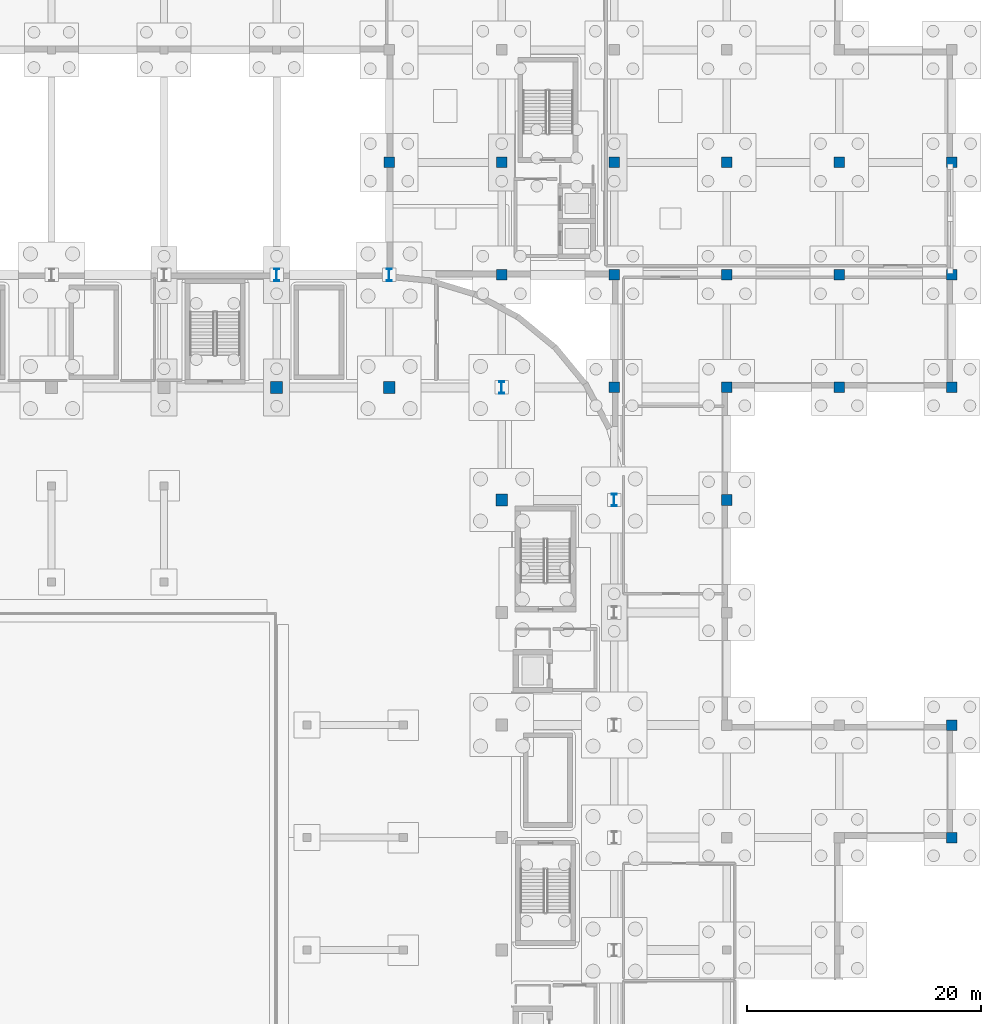
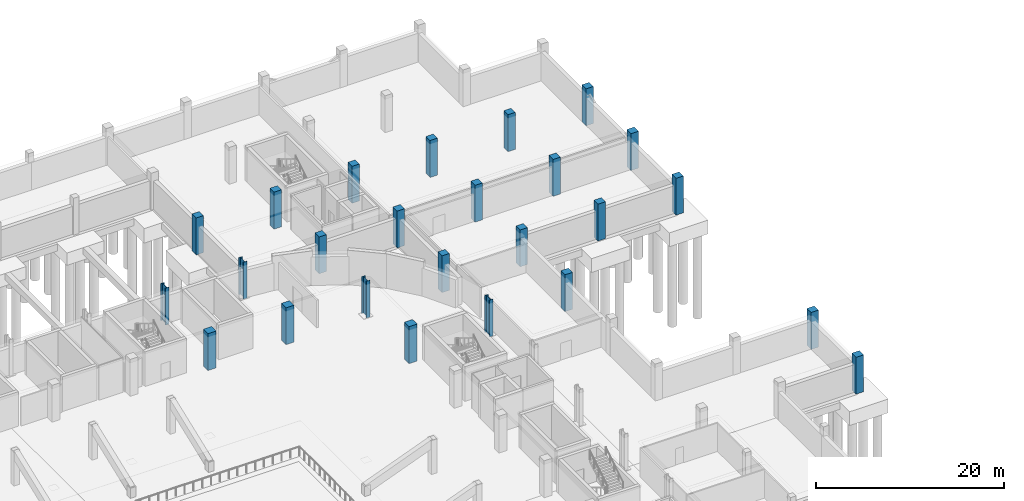
# One storey, part 21 of 67: 25 columns.
"""IFC4 building model written with IfcOpenShell, lengths in metres."""

from ifc_helpers import new_model, si_unit, direction, frame, origin, origin_2d, place, context, subcontext, project, spatial, rectangle, i_section, extrude, material, material_profile, profile_set, type_object, element, save


model = new_model("IFC4")

# Units and contexts
model_context = context("Model", 3, precision=1e-05, world=origin(), true_north=direction((0.0, 1.0)))
body_context = subcontext(model_context, "Body", "Model", "MODEL_VIEW")
ifc_project = project(units=[si_unit("LENGTHUNIT", "METRE"), si_unit("AREAUNIT", "SQUARE_METRE"), si_unit("VOLUMEUNIT", "CUBIC_METRE"), si_unit("PLANEANGLEUNIT", "RADIAN"), si_unit("MASSUNIT", "GRAM", prefix="KILO")], contexts=[model_context])

# Site, building, storey
site_placement = place(None, origin())
site = spatial("IfcSite", under=ifc_project, at=site_placement, CompositionType="ELEMENT")
building_placement = place(site_placement, origin())
building = spatial("IfcBuilding", under=site, at=building_placement, Name="Caelomonte Colonnade Arena", CompositionType="ELEMENT")
storey_placement = place(building_placement, frame((0.0, 0.0, -4.800048828125)))
storey = spatial("IfcBuildingStorey", under=building, at=storey_placement, Name="B1", CompositionType="ELEMENT", Elevation=-4.800048828125)

# Columns
ifc_material_1 = material(Name="Concrete C50/60", Category="concrete")
ifc_material_profile_1 = material_profile(ifc_material_1, rectangle(XDim=0.89990234375, YDim=0.89990234375, at=origin_2d()), Name="RC900X900")
ifc_profile_set_1 = profile_set([ifc_material_profile_1], Name="Concrete C50/60")
column_type_1 = type_object("IfcColumnType", Name="STR-COL-RC09", PredefinedType="COLUMN", material=ifc_profile_set_1)
for number, where, z_axis, x_axis, name in (
    (1, (144.0, 124.800048828125, 0.0), (0.0, 0.0, 1.0), (1.0, 0.0, 0.0), "B1 column (144.0, 124.8)"),
    (2, (153.60009765625, 115.199951171875, 0.0), (0.0, 0.0, 1.0), (1.0, 0.0, 0.0), "B1 column (153.6, 115.2)"),
    (3, (153.60009765625, 124.800048828125, 0.0), (0.0, 0.0, 1.0), (1.0, 0.0, 0.0), "B1 column (153.6, 124.8)"),
    (4, (163.199951171875, 105.60009765625, 0.0), (0.0, 0.0, 1.0), (1.0, 0.0, 0.0), "B1 column (163.2, 105.6)"),
    (5, (163.199951171875, 115.199951171875, 0.0), (0.0, 0.0, 1.0), (1.0, 0.0, 0.0), "B1 column (163.2, 115.2)"),
    (6, (163.199951171875, 124.800048828125, 0.0), (0.0, 0.0, 1.0), (1.0, 0.0, 0.0), "B1 column (163.2, 124.8)"),
    (7, (172.800048828125, 96.0, 0.0), (0.0, 0.0, 1.0), (1.0, 0.0, 0.0), "B1 column (172.8, 96.0)"),
    (8, (172.800048828125, 105.60009765625, 0.0), (0.0, 0.0, 1.0), (1.0, 0.0, 0.0), "B1 column (172.8, 105.6)"),
    (9, (172.800048828125, 115.199951171875, 0.0), (0.0, 0.0, 1.0), (1.0, 0.0, 0.0), "B1 column (172.8, 115.2)"),
    (10, (172.800048828125, 124.800048828125, 0.0), (0.0, 0.0, 1.0), (1.0, 0.0, 0.0), "B1 column (172.8, 124.8)"),
    (11, (182.39990234375, 105.60009765625, 0.0), (0.0, 0.0, 1.0), (1.0, 0.0, 0.0), "B1 column (182.4, 105.6)"),
    (12, (182.39990234375, 115.199951171875, 0.0), (0.0, 0.0, 1.0), (1.0, 0.0, 0.0), "B1 column (182.4, 115.2)"),
    (13, (182.39990234375, 124.800048828125, 0.0), (0.0, 0.0, 1.0), (1.0, 0.0, 0.0), "B1 column (182.4, 124.8)"),
    (14, (192.0, 67.199951171875, 0.0), (0.0, 0.0, 1.0), (1.0, 0.0, 0.0), "B1 column (192.0, 67.2)"),
    (15, (192.0, 76.800048828125, 0.0), (0.0, 0.0, 1.0), (1.0, 0.0, 0.0), "B1 column (192.0, 76.8)"),
    (16, (192.0, 105.60009765625, 0.0), (0.0, 0.0, 1.0), (1.0, 0.0, 0.0), "B1 column (192.0, 105.6)"),
    (17, (192.0, 115.199951171875, 0.0), (0.0, 0.0, 1.0), (1.0, 0.0, 0.0), "B1 column (192.0, 115.2)"),
    (18, (192.0, 124.800048828125, 0.0), (0.0, 0.0, 1.0), (1.0, 0.0, 0.0), "B1 column (192.0, 124.8)"),
):
    element("IfcColumn", number, at=place(storey_placement, frame(where, z_axis=z_axis, x_axis=x_axis)), inside=storey, type_object=column_type_1, Name=name, PredefinedType="COLUMN", context=body_context, shape_type="SweptSolid", body=[
        extrude(rectangle(XDim=0.89990234375, YDim=0.89990234375, at=origin_2d()), origin(), (0.0, 0.0, 1.0), 4.800048828125),
    ])
ifc_material_profile_2 = material_profile(ifc_material_1, rectangle(XDim=1.0, YDim=1.0, at=origin_2d()), Name="RC1000X1000")
ifc_profile_set_2 = profile_set([ifc_material_profile_2], Name="Concrete C50/60")
column_type_2 = type_object("IfcColumnType", Name="STR-COL-RC10", PredefinedType="COLUMN", material=ifc_profile_set_2)
for number, where, z_axis, x_axis, name in (
    (19, (134.39990234375, 105.60009765625, 0.0), (0.0, 0.0, 1.0), (1.0, 0.0, 0.0), "B1 column (134.4, 105.6)"),
    (20, (144.0, 105.60009765625, 0.0), (0.0, 0.0, 1.0), (1.0, 0.0, 0.0), "B1 column (144.0, 105.6)"),
    (21, (153.60009765625, 96.0, 0.0), (0.0, 0.0, 1.0), (1.0, 0.0, 0.0), "B1 column (153.6, 96.0)"),
):
    element("IfcColumn", number, at=place(storey_placement, frame(where, z_axis=z_axis, x_axis=x_axis)), inside=storey, type_object=column_type_2, Name=name, PredefinedType="COLUMN", context=body_context, shape_type="SweptSolid", body=[
        extrude(rectangle(XDim=1.0, YDim=1.0, at=origin_2d()), origin(), (0.0, 0.0, 1.0), 4.800048828125),
    ])
ifc_material_2 = material(Name="Wide-flange steel ASTM A992 Grade 50", Category="steel")
ifc_material_profile_3 = material_profile(ifc_material_2, i_section(OverallWidth=0.427001953125, OverallDepth=1.04150390625, WebThickness=0.031005859375, FlangeThickness=0.055908203125, FilletRadius=0.030517578125, at=origin_2d()), Name="W40X397")
ifc_profile_set_3 = profile_set([ifc_material_profile_3], Name="Wide-flange steel ASTM A992 Grade 50")
column_type_3 = type_object("IfcColumnType", Name="STR-COL-W40A", PredefinedType="COLUMN", material=ifc_profile_set_3)
for number, where, z_axis, x_axis, name in (
    (22, (134.39990234375, 115.199951171875, 0.0), (0.0, 0.0, 1.0), (1.0, 0.0, 0.0), "B1 column (134.4, 115.2)"),
    (23, (144.0, 115.199951171875, 0.0), (0.0, 0.0, 1.0), (1.0, 0.0, 0.0), "B1 column (144.0, 115.2)"),
    (24, (153.60009765625, 105.60009765625, 0.0), (0.0, 0.0, 1.0), (1.0, 0.0, 0.0), "B1 column (153.6, 105.6)"),
    (25, (163.199951171875, 96.0, 0.0), (0.0, 0.0, 1.0), (1.0, 0.0, 0.0), "B1 column (163.2, 96.0)"),
):
    element("IfcColumn", number, at=place(storey_placement, frame(where, z_axis=z_axis, x_axis=x_axis)), inside=storey, type_object=column_type_3, Name=name, PredefinedType="COLUMN", context=body_context, shape_type="SweptSolid", body=[
        extrude(i_section(OverallWidth=0.427001953125, OverallDepth=1.04150390625, WebThickness=0.031005859375, FlangeThickness=0.055908203125, FilletRadius=0.030517578125, at=origin_2d()), origin(), (0.0, 0.0, 1.0), 4.800048828125),
    ])

save(model, "model.ifc")
